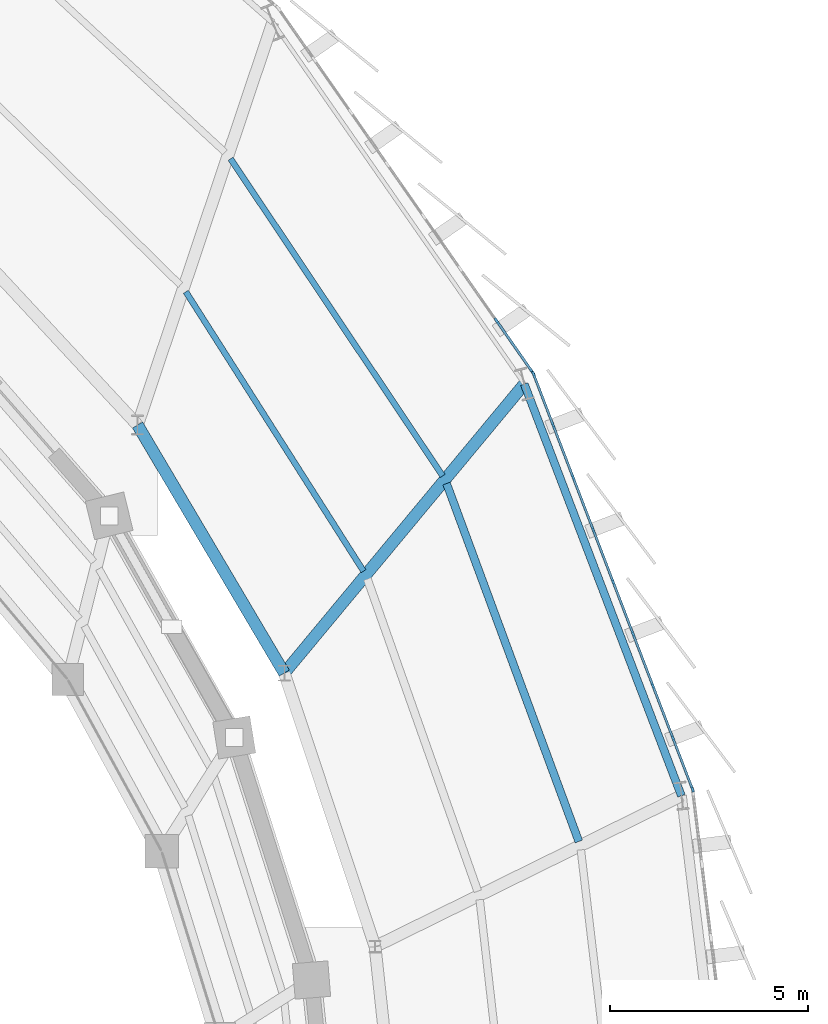
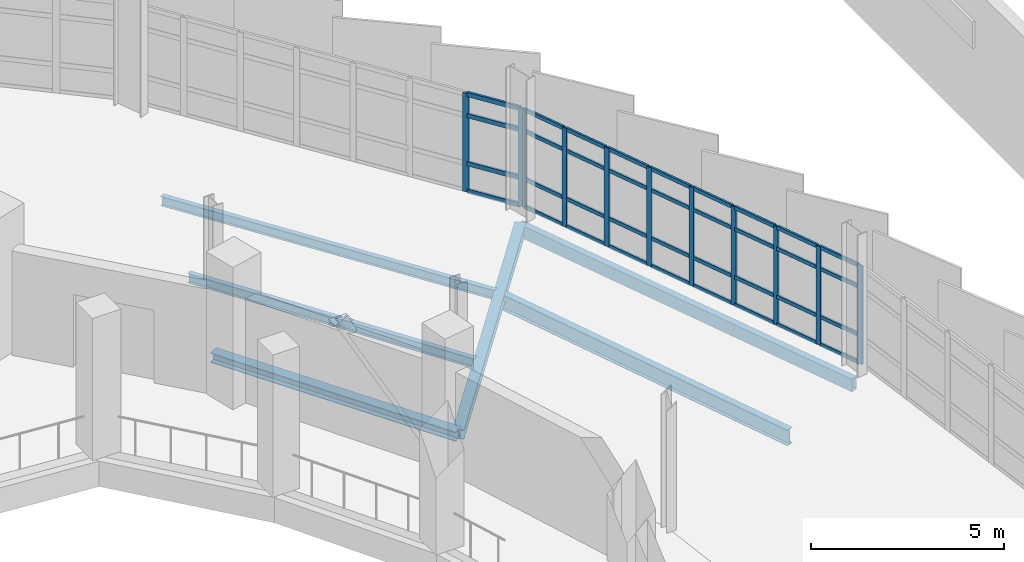
# One storey, part 73 of 125: 47 members, 6 beams, 2 elements without a shape of their own.
"""IFC4 building model written with IfcOpenShell, lengths in metres."""

from ifc_helpers import new_model, si_unit, direction, frame, origin, origin_2d, place, context, subcontext, project, spatial, rectangle, hollow_rectangle, i_section, extrude, material, layer, layer_set, material_profile, profile_set, type_object, element, aggregate, save


model = new_model("IFC4")

# Units and contexts
model_context = context("Model", 3, precision=1e-05, world=origin(), true_north=direction((0.0, 1.0)))
body_context = subcontext(model_context, "Body", "Model", "MODEL_VIEW")
ifc_project = project(units=[si_unit("LENGTHUNIT", "METRE"), si_unit("AREAUNIT", "SQUARE_METRE"), si_unit("VOLUMEUNIT", "CUBIC_METRE"), si_unit("PLANEANGLEUNIT", "RADIAN"), si_unit("MASSUNIT", "GRAM", prefix="KILO")], contexts=[model_context])

# Site, building, storey
site_placement = place(None, origin())
site = spatial("IfcSite", under=ifc_project, at=site_placement, CompositionType="ELEMENT")
building_placement = place(site_placement, origin())
building = spatial("IfcBuilding", under=site, at=building_placement, Name="Sohan Crest Arena", CompositionType="ELEMENT")
storey_placement = place(building_placement, frame((0.0, 0.0, 9.0)))
storey = spatial("IfcBuildingStorey", under=building, at=storey_placement, Name="L02", CompositionType="ELEMENT", Elevation=9.0)

# Curtain wall, members
ifc_material_1 = material(Name="Thermally broken anodised aluminium", Category="aluminium")
ifc_layer_1 = layer(ifc_material_1, 0.179931640625, Name="Thermally broken anodised aluminium")
ifc_layer_set_1 = layer_set([ifc_layer_1], Name="Thermally broken anodised aluminium")
curtain_wall_type_1 = type_object("IfcCurtainWallType", Name="ARC-CW01", PredefinedType="NOTDEFINED", material=ifc_layer_set_1)
curtain_wall_1_placement = place(storey_placement, origin())
curtain_wall_1 = element("IfcCurtainWall", 1, at=curtain_wall_1_placement, inside=storey, type_object=curtain_wall_type_1, Name="Unitised curtain wall CW-070", PredefinedType="NOTDEFINED")
ifc_material_profile_1 = material_profile(ifc_material_1, rectangle(XDim=0.06005859375, YDim=0.159912109375, at=origin_2d()), Name="ALU-MULL 60x160")
ifc_profile_set_1 = profile_set([ifc_material_profile_1], Name="Thermally broken anodised aluminium")
member_type_1 = type_object("IfcMemberType", Name="ARC-CW-ML01", PredefinedType="MULLION", material=ifc_profile_set_1)
member_1_placement = place(storey_placement, frame((187.00439453125, 89.239990234375, 0.0), z_axis=(0.0, 0.0, 1.0), x_axis=(-0.933887574191, -0.357566775262, 0.0)))
member_1 = element("IfcMember", 2, at=member_1_placement, type_object=member_type_1, Name="CW-070 mullion 1", PredefinedType="MULLION", context=body_context, shape_type="SweptSolid", body=[
    extrude(rectangle(XDim=0.06005859375, YDim=0.159912109375, at=origin_2d()), origin(), (0.0, 0.0, 1.0), 3.1201171875),
])
member_2_placement = place(storey_placement, frame((186.510009765625, 90.530517578125, 0.0), z_axis=(0.0, 0.0, 1.0), x_axis=(-0.933887574191, -0.357566775262, 0.0)))
member_2 = element("IfcMember", 3, at=member_2_placement, type_object=member_type_1, Name="CW-070 mullion 2", PredefinedType="MULLION", context=body_context, shape_type="SweptSolid", body=[
    extrude(rectangle(XDim=0.06005859375, YDim=0.159912109375, at=origin_2d()), origin(), (0.0, 0.0, 1.0), 3.1201171875),
])
member_3_placement = place(storey_placement, frame((186.00537109375, 91.849365234375, 0.0), z_axis=(0.0, 0.0, 1.0), x_axis=(-0.933887574191, -0.357566775262, 0.0)))
member_3 = element("IfcMember", 4, at=member_3_placement, type_object=member_type_1, Name="CW-070 mullion 3", PredefinedType="MULLION", context=body_context, shape_type="SweptSolid", body=[
    extrude(rectangle(XDim=0.06005859375, YDim=0.159912109375, at=origin_2d()), origin(), (0.0, 0.0, 1.0), 3.1201171875),
])
member_4_placement = place(storey_placement, frame((185.50048828125, 93.16796875, 0.0), z_axis=(0.0, 0.0, 1.0), x_axis=(-0.933887574191, -0.357566775262, 0.0)))
member_4 = element("IfcMember", 5, at=member_4_placement, type_object=member_type_1, Name="CW-070 mullion 4", PredefinedType="MULLION", context=body_context, shape_type="SweptSolid", body=[
    extrude(rectangle(XDim=0.06005859375, YDim=0.159912109375, at=origin_2d()), origin(), (0.0, 0.0, 1.0), 3.1201171875),
])
member_5_placement = place(storey_placement, frame((184.99560546875, 94.486572265625, 0.0), z_axis=(0.0, 0.0, 1.0), x_axis=(-0.933887574191, -0.357566775262, 0.0)))
member_5 = element("IfcMember", 6, at=member_5_placement, type_object=member_type_1, Name="CW-070 mullion 5", PredefinedType="MULLION", context=body_context, shape_type="SweptSolid", body=[
    extrude(rectangle(XDim=0.06005859375, YDim=0.159912109375, at=origin_2d()), origin(), (0.0, 0.0, 1.0), 3.1201171875),
])
member_6_placement = place(storey_placement, frame((184.49072265625, 95.80517578125, 0.0), z_axis=(0.0, 0.0, 1.0), x_axis=(-0.933887574191, -0.357566775262, 0.0)))
member_6 = element("IfcMember", 7, at=member_6_placement, type_object=member_type_1, Name="CW-070 mullion 6", PredefinedType="MULLION", context=body_context, shape_type="SweptSolid", body=[
    extrude(rectangle(XDim=0.06005859375, YDim=0.159912109375, at=origin_2d()), origin(), (0.0, 0.0, 1.0), 3.1201171875),
])
member_7_placement = place(storey_placement, frame((183.98583984375, 97.123779296875, 0.0), z_axis=(0.0, 0.0, 1.0), x_axis=(-0.933887574191, -0.357566775262, 0.0)))
member_7 = element("IfcMember", 8, at=member_7_placement, type_object=member_type_1, Name="CW-070 mullion 7", PredefinedType="MULLION", context=body_context, shape_type="SweptSolid", body=[
    extrude(rectangle(XDim=0.06005859375, YDim=0.159912109375, at=origin_2d()), origin(), (0.0, 0.0, 1.0), 3.1201171875),
])
member_8_placement = place(storey_placement, frame((183.48095703125, 98.4423828125, 0.0), z_axis=(0.0, 0.0, 1.0), x_axis=(-0.933887574191, -0.357566775262, 0.0)))
member_8 = element("IfcMember", 9, at=member_8_placement, type_object=member_type_1, Name="CW-070 mullion 8", PredefinedType="MULLION", context=body_context, shape_type="SweptSolid", body=[
    extrude(rectangle(XDim=0.06005859375, YDim=0.159912109375, at=origin_2d()), origin(), (0.0, 0.0, 1.0), 3.1201171875),
])
member_9_placement = place(storey_placement, frame((182.98681640625, 99.73291015625, 0.0), z_axis=(0.0, 0.0, 1.0), x_axis=(-0.933887574191, -0.357566775262, 0.0)))
member_9 = element("IfcMember", 10, at=member_9_placement, type_object=member_type_1, Name="CW-070 mullion 9", PredefinedType="MULLION", context=body_context, shape_type="SweptSolid", body=[
    extrude(rectangle(XDim=0.06005859375, YDim=0.159912109375, at=origin_2d()), origin(), (0.0, 0.0, 1.0), 3.1201171875),
])

ifc_layer_2 = layer(ifc_material_1, 0.199951171875, Name="Thermally broken anodised aluminium")
ifc_layer_set_2 = layer_set([ifc_layer_2], Name="Thermally broken anodised aluminium")
curtain_wall_type_2 = type_object("IfcCurtainWallType", Name="ARC-CW02", PredefinedType="NOTDEFINED", material=ifc_layer_set_2)
curtain_wall_2_placement = place(storey_placement, origin())
curtain_wall_2 = element("IfcCurtainWall", 11, at=curtain_wall_2_placement, inside=storey, type_object=curtain_wall_type_2, Name="Unitised curtain wall CW-071", PredefinedType="NOTDEFINED")
ifc_material_profile_2 = material_profile(ifc_material_1, rectangle(XDim=0.06494140625, YDim=0.179931640625, at=origin_2d()), Name="ALU-MULL 65x180")
ifc_profile_set_2 = profile_set([ifc_material_profile_2], Name="Thermally broken anodised aluminium")
member_type_2 = type_object("IfcMemberType", Name="ARC-CW-ML02", PredefinedType="MULLION", material=ifc_profile_set_2)
member_10_placement = place(storey_placement, frame((182.957275390625, 99.78759765625, 0.0), z_axis=(0.0, 0.0, 1.0), x_axis=(-0.819954947639, -0.572428059971, 0.0)))
member_10 = element("IfcMember", 12, at=member_10_placement, type_object=member_type_2, Name="CW-071 mullion 1", PredefinedType="MULLION", context=body_context, shape_type="SweptSolid", body=[
    extrude(rectangle(XDim=0.06494140625, YDim=0.179931640625, at=origin_2d()), origin(), (0.0, 0.0, 1.0), 3.1201171875),
])
member_11_placement = place(storey_placement, frame((182.05224609375, 101.084228515625, 0.0), z_axis=(0.0, 0.0, 1.0), x_axis=(-0.819954947639, -0.572428059971, 0.0)))
member_11 = element("IfcMember", 13, at=member_11_placement, type_object=member_type_2, Name="CW-071 mullion 2", PredefinedType="MULLION", context=body_context, shape_type="SweptSolid", body=[
    extrude(rectangle(XDim=0.06494140625, YDim=0.179931640625, at=origin_2d()), origin(), (0.0, 0.0, 1.0), 3.1201171875),
])

# Member
ifc_material_profile_3 = material_profile(ifc_material_1, rectangle(XDim=0.06005859375, YDim=0.1201171875, at=origin_2d()), Name="ALU-TRAN 60x120")
ifc_profile_set_3 = profile_set([ifc_material_profile_3], Name="Thermally broken anodised aluminium")
member_type_3 = type_object("IfcMemberType", Name="ARC-CW-TR01", PredefinedType="USERDEFINED", material=ifc_profile_set_3)
member_12_placement = place(storey_placement, frame((186.99365234375, 89.26806640625, 0.030029296875), z_axis=(-0.357691809809, 0.93383969138, 0.0), x_axis=(-0.93383969138, -0.357691809809, 0.0)))
member_12 = element("IfcMember", 14, at=member_12_placement, type_object=member_type_3, Name="CW-070 transom 1.1", ObjectType="TRANSOM", PredefinedType="USERDEFINED", context=body_context, shape_type="SweptSolid", body=[
    extrude(rectangle(XDim=0.06005859375, YDim=0.1201171875, at=origin_2d()), origin(), (0.0, 0.0, 1.0), 1.322021484375),
])

member_13_placement = place(storey_placement, frame((186.99365234375, 89.26806640625, 0.89990234375), z_axis=(-0.357691809809, 0.93383969138, 0.0), x_axis=(-0.93383969138, -0.357691809809, 0.0)))
member_13 = element("IfcMember", 15, at=member_13_placement, type_object=member_type_3, Name="CW-070 transom 1.2", ObjectType="TRANSOM", PredefinedType="USERDEFINED", context=body_context, shape_type="SweptSolid", body=[
    extrude(rectangle(XDim=0.06005859375, YDim=0.1201171875, at=origin_2d()), origin(), (0.0, 0.0, 1.0), 1.322021484375),
])

member_14_placement = place(storey_placement, frame((186.99365234375, 89.26806640625, 2.419921875), z_axis=(-0.357691809809, 0.93383969138, 0.0), x_axis=(-0.93383969138, -0.357691809809, 0.0)))
member_14 = element("IfcMember", 16, at=member_14_placement, type_object=member_type_3, Name="CW-070 transom 1.3", ObjectType="TRANSOM", PredefinedType="USERDEFINED", context=body_context, shape_type="SweptSolid", body=[
    extrude(rectangle(XDim=0.06005859375, YDim=0.1201171875, at=origin_2d()), origin(), (0.0, 0.0, 1.0), 1.322021484375),
])

member_15_placement = place(storey_placement, frame((186.99365234375, 89.26806640625, 3.090087890625), z_axis=(-0.357691809809, 0.93383969138, 0.0), x_axis=(-0.93383969138, -0.357691809809, 0.0)))
member_15 = element("IfcMember", 17, at=member_15_placement, type_object=member_type_3, Name="CW-070 transom 1.4", ObjectType="TRANSOM", PredefinedType="USERDEFINED", context=body_context, shape_type="SweptSolid", body=[
    extrude(rectangle(XDim=0.06005859375, YDim=0.1201171875, at=origin_2d()), origin(), (0.0, 0.0, 1.0), 1.322021484375),
])

member_16_placement = place(storey_placement, frame((186.49951171875, 90.55859375, 0.030029296875), z_axis=(-0.357684119132, 0.933842637129, 0.0), x_axis=(-0.933842637129, -0.357684119132, 0.0)))
member_16 = element("IfcMember", 18, at=member_16_placement, type_object=member_type_3, Name="CW-070 transom 2.1", ObjectType="TRANSOM", PredefinedType="USERDEFINED", context=body_context, shape_type="SweptSolid", body=[
    extrude(rectangle(XDim=0.06005859375, YDim=0.1201171875, at=origin_2d()), origin(), (0.0, 0.0, 1.0), 1.35205078125),
])

member_17_placement = place(storey_placement, frame((186.49951171875, 90.55859375, 0.89990234375), z_axis=(-0.357684119132, 0.933842637129, 0.0), x_axis=(-0.933842637129, -0.357684119132, 0.0)))
member_17 = element("IfcMember", 19, at=member_17_placement, type_object=member_type_3, Name="CW-070 transom 2.2", ObjectType="TRANSOM", PredefinedType="USERDEFINED", context=body_context, shape_type="SweptSolid", body=[
    extrude(rectangle(XDim=0.06005859375, YDim=0.1201171875, at=origin_2d()), origin(), (0.0, 0.0, 1.0), 1.35205078125),
])

member_18_placement = place(storey_placement, frame((186.49951171875, 90.55859375, 2.419921875), z_axis=(-0.357684119132, 0.933842637129, 0.0), x_axis=(-0.933842637129, -0.357684119132, 0.0)))
member_18 = element("IfcMember", 20, at=member_18_placement, type_object=member_type_3, Name="CW-070 transom 2.3", ObjectType="TRANSOM", PredefinedType="USERDEFINED", context=body_context, shape_type="SweptSolid", body=[
    extrude(rectangle(XDim=0.06005859375, YDim=0.1201171875, at=origin_2d()), origin(), (0.0, 0.0, 1.0), 1.35205078125),
])

member_19_placement = place(storey_placement, frame((186.49951171875, 90.55859375, 3.090087890625), z_axis=(-0.357684119132, 0.933842637129, 0.0), x_axis=(-0.933842637129, -0.357684119132, 0.0)))
member_19 = element("IfcMember", 21, at=member_19_placement, type_object=member_type_3, Name="CW-070 transom 2.4", ObjectType="TRANSOM", PredefinedType="USERDEFINED", context=body_context, shape_type="SweptSolid", body=[
    extrude(rectangle(XDim=0.06005859375, YDim=0.1201171875, at=origin_2d()), origin(), (0.0, 0.0, 1.0), 1.35205078125),
])

member_20_placement = place(storey_placement, frame((185.99462890625, 91.877197265625, 0.030029296875), z_axis=(-0.357684119132, 0.933842637129, 0.0), x_axis=(-0.933842637129, -0.357684119132, 0.0)))
member_20 = element("IfcMember", 22, at=member_20_placement, type_object=member_type_3, Name="CW-070 transom 3.1", ObjectType="TRANSOM", PredefinedType="USERDEFINED", context=body_context, shape_type="SweptSolid", body=[
    extrude(rectangle(XDim=0.06005859375, YDim=0.1201171875, at=origin_2d()), origin(), (0.0, 0.0, 1.0), 1.35205078125),
])

member_21_placement = place(storey_placement, frame((185.99462890625, 91.877197265625, 0.89990234375), z_axis=(-0.357684119132, 0.933842637129, 0.0), x_axis=(-0.933842637129, -0.357684119132, 0.0)))
member_21 = element("IfcMember", 23, at=member_21_placement, type_object=member_type_3, Name="CW-070 transom 3.2", ObjectType="TRANSOM", PredefinedType="USERDEFINED", context=body_context, shape_type="SweptSolid", body=[
    extrude(rectangle(XDim=0.06005859375, YDim=0.1201171875, at=origin_2d()), origin(), (0.0, 0.0, 1.0), 1.35205078125),
])

member_22_placement = place(storey_placement, frame((185.99462890625, 91.877197265625, 2.419921875), z_axis=(-0.357684119132, 0.933842637129, 0.0), x_axis=(-0.933842637129, -0.357684119132, 0.0)))
member_22 = element("IfcMember", 24, at=member_22_placement, type_object=member_type_3, Name="CW-070 transom 3.3", ObjectType="TRANSOM", PredefinedType="USERDEFINED", context=body_context, shape_type="SweptSolid", body=[
    extrude(rectangle(XDim=0.06005859375, YDim=0.1201171875, at=origin_2d()), origin(), (0.0, 0.0, 1.0), 1.35205078125),
])

member_23_placement = place(storey_placement, frame((185.99462890625, 91.877197265625, 3.090087890625), z_axis=(-0.357684119132, 0.933842637129, 0.0), x_axis=(-0.933842637129, -0.357684119132, 0.0)))
member_23 = element("IfcMember", 25, at=member_23_placement, type_object=member_type_3, Name="CW-070 transom 3.4", ObjectType="TRANSOM", PredefinedType="USERDEFINED", context=body_context, shape_type="SweptSolid", body=[
    extrude(rectangle(XDim=0.06005859375, YDim=0.1201171875, at=origin_2d()), origin(), (0.0, 0.0, 1.0), 1.35205078125),
])

member_24_placement = place(storey_placement, frame((185.48974609375, 93.19580078125, 0.030029296875), z_axis=(-0.357526646659, 0.933902937638, 0.0), x_axis=(-0.933902937638, -0.357526646659, 0.0)))
member_24 = element("IfcMember", 26, at=member_24_placement, type_object=member_type_3, Name="CW-070 transom 4.1", ObjectType="TRANSOM", PredefinedType="USERDEFINED", context=body_context, shape_type="SweptSolid", body=[
    extrude(rectangle(XDim=0.06005859375, YDim=0.1201171875, at=origin_2d()), origin(), (0.0, 0.0, 1.0), 1.35205078125),
])

member_25_placement = place(storey_placement, frame((185.48974609375, 93.19580078125, 0.89990234375), z_axis=(-0.357526646659, 0.933902937638, 0.0), x_axis=(-0.933902937638, -0.357526646659, 0.0)))
member_25 = element("IfcMember", 27, at=member_25_placement, type_object=member_type_3, Name="CW-070 transom 4.2", ObjectType="TRANSOM", PredefinedType="USERDEFINED", context=body_context, shape_type="SweptSolid", body=[
    extrude(rectangle(XDim=0.06005859375, YDim=0.1201171875, at=origin_2d()), origin(), (0.0, 0.0, 1.0), 1.35205078125),
])

member_26_placement = place(storey_placement, frame((185.48974609375, 93.19580078125, 2.419921875), z_axis=(-0.357526646659, 0.933902937638, 0.0), x_axis=(-0.933902937638, -0.357526646659, 0.0)))
member_26 = element("IfcMember", 28, at=member_26_placement, type_object=member_type_3, Name="CW-070 transom 4.3", ObjectType="TRANSOM", PredefinedType="USERDEFINED", context=body_context, shape_type="SweptSolid", body=[
    extrude(rectangle(XDim=0.06005859375, YDim=0.1201171875, at=origin_2d()), origin(), (0.0, 0.0, 1.0), 1.35205078125),
])

member_27_placement = place(storey_placement, frame((185.48974609375, 93.19580078125, 3.090087890625), z_axis=(-0.357526646659, 0.933902937638, 0.0), x_axis=(-0.933902937638, -0.357526646659, 0.0)))
member_27 = element("IfcMember", 29, at=member_27_placement, type_object=member_type_3, Name="CW-070 transom 4.4", ObjectType="TRANSOM", PredefinedType="USERDEFINED", context=body_context, shape_type="SweptSolid", body=[
    extrude(rectangle(XDim=0.06005859375, YDim=0.1201171875, at=origin_2d()), origin(), (0.0, 0.0, 1.0), 1.35205078125),
])

member_28_placement = place(storey_placement, frame((184.98486328125, 94.514404296875, 0.030029296875), z_axis=(-0.357526646659, 0.933902937638, 0.0), x_axis=(-0.933902937638, -0.357526646659, 0.0)))
member_28 = element("IfcMember", 30, at=member_28_placement, type_object=member_type_3, Name="CW-070 transom 5.1", ObjectType="TRANSOM", PredefinedType="USERDEFINED", context=body_context, shape_type="SweptSolid", body=[
    extrude(rectangle(XDim=0.06005859375, YDim=0.1201171875, at=origin_2d()), origin(), (0.0, 0.0, 1.0), 1.35205078125),
])

member_29_placement = place(storey_placement, frame((184.98486328125, 94.514404296875, 0.89990234375), z_axis=(-0.357526646659, 0.933902937638, 0.0), x_axis=(-0.933902937638, -0.357526646659, 0.0)))
member_29 = element("IfcMember", 31, at=member_29_placement, type_object=member_type_3, Name="CW-070 transom 5.2", ObjectType="TRANSOM", PredefinedType="USERDEFINED", context=body_context, shape_type="SweptSolid", body=[
    extrude(rectangle(XDim=0.06005859375, YDim=0.1201171875, at=origin_2d()), origin(), (0.0, 0.0, 1.0), 1.35205078125),
])

member_30_placement = place(storey_placement, frame((184.98486328125, 94.514404296875, 2.419921875), z_axis=(-0.357526646659, 0.933902937638, 0.0), x_axis=(-0.933902937638, -0.357526646659, 0.0)))
member_30 = element("IfcMember", 32, at=member_30_placement, type_object=member_type_3, Name="CW-070 transom 5.3", ObjectType="TRANSOM", PredefinedType="USERDEFINED", context=body_context, shape_type="SweptSolid", body=[
    extrude(rectangle(XDim=0.06005859375, YDim=0.1201171875, at=origin_2d()), origin(), (0.0, 0.0, 1.0), 1.35205078125),
])

member_31_placement = place(storey_placement, frame((184.98486328125, 94.514404296875, 3.090087890625), z_axis=(-0.357526646659, 0.933902937638, 0.0), x_axis=(-0.933902937638, -0.357526646659, 0.0)))
member_31 = element("IfcMember", 33, at=member_31_placement, type_object=member_type_3, Name="CW-070 transom 5.4", ObjectType="TRANSOM", PredefinedType="USERDEFINED", context=body_context, shape_type="SweptSolid", body=[
    extrude(rectangle(XDim=0.06005859375, YDim=0.1201171875, at=origin_2d()), origin(), (0.0, 0.0, 1.0), 1.35205078125),
])

member_32_placement = place(storey_placement, frame((184.47998046875, 95.833251953125, 0.030029296875), z_axis=(-0.357586947207, 0.933879850509, 0.0), x_axis=(-0.933879850509, -0.357586947207, 0.0)))
member_32 = element("IfcMember", 34, at=member_32_placement, type_object=member_type_3, Name="CW-070 transom 6.1", ObjectType="TRANSOM", PredefinedType="USERDEFINED", context=body_context, shape_type="SweptSolid", body=[
    extrude(rectangle(XDim=0.06005859375, YDim=0.1201171875, at=origin_2d()), origin(), (0.0, 0.0, 1.0), 1.351806640625),
])

member_33_placement = place(storey_placement, frame((184.47998046875, 95.833251953125, 0.89990234375), z_axis=(-0.357586947207, 0.933879850509, 0.0), x_axis=(-0.933879850509, -0.357586947207, 0.0)))
member_33 = element("IfcMember", 35, at=member_33_placement, type_object=member_type_3, Name="CW-070 transom 6.2", ObjectType="TRANSOM", PredefinedType="USERDEFINED", context=body_context, shape_type="SweptSolid", body=[
    extrude(rectangle(XDim=0.06005859375, YDim=0.1201171875, at=origin_2d()), origin(), (0.0, 0.0, 1.0), 1.351806640625),
])

member_34_placement = place(storey_placement, frame((184.47998046875, 95.833251953125, 2.419921875), z_axis=(-0.357586947207, 0.933879850509, 0.0), x_axis=(-0.933879850509, -0.357586947207, 0.0)))
member_34 = element("IfcMember", 36, at=member_34_placement, type_object=member_type_3, Name="CW-070 transom 6.3", ObjectType="TRANSOM", PredefinedType="USERDEFINED", context=body_context, shape_type="SweptSolid", body=[
    extrude(rectangle(XDim=0.06005859375, YDim=0.1201171875, at=origin_2d()), origin(), (0.0, 0.0, 1.0), 1.351806640625),
])

member_35_placement = place(storey_placement, frame((184.47998046875, 95.833251953125, 3.090087890625), z_axis=(-0.357586947207, 0.933879850509, 0.0), x_axis=(-0.933879850509, -0.357586947207, 0.0)))
member_35 = element("IfcMember", 37, at=member_35_placement, type_object=member_type_3, Name="CW-070 transom 6.4", ObjectType="TRANSOM", PredefinedType="USERDEFINED", context=body_context, shape_type="SweptSolid", body=[
    extrude(rectangle(XDim=0.06005859375, YDim=0.1201171875, at=origin_2d()), origin(), (0.0, 0.0, 1.0), 1.351806640625),
])

member_36_placement = place(storey_placement, frame((183.97509765625, 97.15185546875, 0.030029296875), z_axis=(-0.357586947207, 0.933879850509, 0.0), x_axis=(-0.933879850509, -0.357586947207, 0.0)))
member_36 = element("IfcMember", 38, at=member_36_placement, type_object=member_type_3, Name="CW-070 transom 7.1", ObjectType="TRANSOM", PredefinedType="USERDEFINED", context=body_context, shape_type="SweptSolid", body=[
    extrude(rectangle(XDim=0.06005859375, YDim=0.1201171875, at=origin_2d()), origin(), (0.0, 0.0, 1.0), 1.351806640625),
])

member_37_placement = place(storey_placement, frame((183.97509765625, 97.15185546875, 0.89990234375), z_axis=(-0.357586947207, 0.933879850509, 0.0), x_axis=(-0.933879850509, -0.357586947207, 0.0)))
member_37 = element("IfcMember", 39, at=member_37_placement, type_object=member_type_3, Name="CW-070 transom 7.2", ObjectType="TRANSOM", PredefinedType="USERDEFINED", context=body_context, shape_type="SweptSolid", body=[
    extrude(rectangle(XDim=0.06005859375, YDim=0.1201171875, at=origin_2d()), origin(), (0.0, 0.0, 1.0), 1.351806640625),
])

member_38_placement = place(storey_placement, frame((183.97509765625, 97.15185546875, 2.419921875), z_axis=(-0.357586947207, 0.933879850509, 0.0), x_axis=(-0.933879850509, -0.357586947207, 0.0)))
member_38 = element("IfcMember", 40, at=member_38_placement, type_object=member_type_3, Name="CW-070 transom 7.3", ObjectType="TRANSOM", PredefinedType="USERDEFINED", context=body_context, shape_type="SweptSolid", body=[
    extrude(rectangle(XDim=0.06005859375, YDim=0.1201171875, at=origin_2d()), origin(), (0.0, 0.0, 1.0), 1.351806640625),
])

member_39_placement = place(storey_placement, frame((183.97509765625, 97.15185546875, 3.090087890625), z_axis=(-0.357586947207, 0.933879850509, 0.0), x_axis=(-0.933879850509, -0.357586947207, 0.0)))
member_39 = element("IfcMember", 41, at=member_39_placement, type_object=member_type_3, Name="CW-070 transom 7.4", ObjectType="TRANSOM", PredefinedType="USERDEFINED", context=body_context, shape_type="SweptSolid", body=[
    extrude(rectangle(XDim=0.06005859375, YDim=0.1201171875, at=origin_2d()), origin(), (0.0, 0.0, 1.0), 1.351806640625),
])

member_40_placement = place(storey_placement, frame((183.47021484375, 98.470458984375, 0.030029296875), z_axis=(-0.357530757462, 0.933901363886, 0.0), x_axis=(-0.933901363886, -0.357530757462, 0.0)))
member_40 = element("IfcMember", 42, at=member_40_placement, type_object=member_type_3, Name="CW-070 transom 8.1", ObjectType="TRANSOM", PredefinedType="USERDEFINED", context=body_context, shape_type="SweptSolid", body=[
    extrude(rectangle(XDim=0.06005859375, YDim=0.1201171875, at=origin_2d()), origin(), (0.0, 0.0, 1.0), 1.322021484375),
])

member_41_placement = place(storey_placement, frame((183.47021484375, 98.470458984375, 0.89990234375), z_axis=(-0.357530757462, 0.933901363886, 0.0), x_axis=(-0.933901363886, -0.357530757462, 0.0)))
member_41 = element("IfcMember", 43, at=member_41_placement, type_object=member_type_3, Name="CW-070 transom 8.2", ObjectType="TRANSOM", PredefinedType="USERDEFINED", context=body_context, shape_type="SweptSolid", body=[
    extrude(rectangle(XDim=0.06005859375, YDim=0.1201171875, at=origin_2d()), origin(), (0.0, 0.0, 1.0), 1.322021484375),
])

member_42_placement = place(storey_placement, frame((183.47021484375, 98.470458984375, 2.419921875), z_axis=(-0.357530757462, 0.933901363886, 0.0), x_axis=(-0.933901363886, -0.357530757462, 0.0)))
member_42 = element("IfcMember", 44, at=member_42_placement, type_object=member_type_3, Name="CW-070 transom 8.3", ObjectType="TRANSOM", PredefinedType="USERDEFINED", context=body_context, shape_type="SweptSolid", body=[
    extrude(rectangle(XDim=0.06005859375, YDim=0.1201171875, at=origin_2d()), origin(), (0.0, 0.0, 1.0), 1.322021484375),
])

member_43_placement = place(storey_placement, frame((183.47021484375, 98.470458984375, 3.090087890625), z_axis=(-0.357530757462, 0.933901363886, 0.0), x_axis=(-0.933901363886, -0.357530757462, 0.0)))
member_43 = element("IfcMember", 45, at=member_43_placement, type_object=member_type_3, Name="CW-070 transom 8.4", ObjectType="TRANSOM", PredefinedType="USERDEFINED", context=body_context, shape_type="SweptSolid", body=[
    extrude(rectangle(XDim=0.06005859375, YDim=0.1201171875, at=origin_2d()), origin(), (0.0, 0.0, 1.0), 1.322021484375),
])

aggregate(curtain_wall_1, [member_1, member_2, member_3, member_4, member_5, member_6, member_7, member_8, member_9, member_12, member_13, member_14, member_15, member_16, member_17, member_18, member_19, member_20, member_21, member_22, member_23, member_24, member_25, member_26, member_27, member_28, member_29, member_30, member_31, member_32, member_33, member_34, member_35, member_36, member_37, member_38, member_39, member_40, member_41, member_42, member_43])

ifc_material_profile_4 = material_profile(ifc_material_1, rectangle(XDim=0.06494140625, YDim=0.139892578125, at=origin_2d()), Name="ALU-TRAN 65x140")
ifc_profile_set_4 = profile_set([ifc_material_profile_4], Name="Thermally broken anodised aluminium")
member_type_4 = type_object("IfcMemberType", Name="ARC-CW-TR02", PredefinedType="USERDEFINED", material=ifc_profile_set_4)
member_44_placement = place(storey_placement, frame((182.938720703125, 99.814208984375, 0.032470703125), z_axis=(-0.572446037216, 0.819942397047, 0.0), x_axis=(-0.819942397047, -0.572446037216, 0.0)))
member_44 = element("IfcMember", 46, at=member_44_placement, type_object=member_type_4, Name="CW-071 transom 1.1", ObjectType="TRANSOM", PredefinedType="USERDEFINED", context=body_context, shape_type="SweptSolid", body=[
    extrude(rectangle(XDim=0.06494140625, YDim=0.139892578125, at=origin_2d()), origin(), (0.0, 0.0, 1.0), 1.51611328125),
])

member_45_placement = place(storey_placement, frame((182.938720703125, 99.814208984375, 0.89990234375), z_axis=(-0.572446037216, 0.819942397047, 0.0), x_axis=(-0.819942397047, -0.572446037216, 0.0)))
member_45 = element("IfcMember", 47, at=member_45_placement, type_object=member_type_4, Name="CW-071 transom 1.2", ObjectType="TRANSOM", PredefinedType="USERDEFINED", context=body_context, shape_type="SweptSolid", body=[
    extrude(rectangle(XDim=0.06494140625, YDim=0.139892578125, at=origin_2d()), origin(), (0.0, 0.0, 1.0), 1.51611328125),
])

member_46_placement = place(storey_placement, frame((182.938720703125, 99.814208984375, 2.419921875), z_axis=(-0.572446037216, 0.819942397047, 0.0), x_axis=(-0.819942397047, -0.572446037216, 0.0)))
member_46 = element("IfcMember", 48, at=member_46_placement, type_object=member_type_4, Name="CW-071 transom 1.3", ObjectType="TRANSOM", PredefinedType="USERDEFINED", context=body_context, shape_type="SweptSolid", body=[
    extrude(rectangle(XDim=0.06494140625, YDim=0.139892578125, at=origin_2d()), origin(), (0.0, 0.0, 1.0), 1.51611328125),
])

member_47_placement = place(storey_placement, frame((182.938720703125, 99.814208984375, 3.08740234375), z_axis=(-0.572446037216, 0.819942397047, 0.0), x_axis=(-0.819942397047, -0.572446037216, 0.0)))
member_47 = element("IfcMember", 49, at=member_47_placement, type_object=member_type_4, Name="CW-071 transom 1.4", ObjectType="TRANSOM", PredefinedType="USERDEFINED", context=body_context, shape_type="SweptSolid", body=[
    extrude(rectangle(XDim=0.06494140625, YDim=0.139892578125, at=origin_2d()), origin(), (0.0, 0.0, 1.0), 1.51611328125),
])

aggregate(curtain_wall_2, [member_10, member_11, member_44, member_45, member_46, member_47])

# Beams
ifc_material_2 = material(Name="Steel S355", Category="steel")
ifc_material_profile_5 = material_profile(ifc_material_2, i_section(OverallWidth=0.14990234375, OverallDepth=0.300048828125, WebThickness=0.007080078125, FlangeThickness=0.0107421875, at=origin_2d()), Name="IPE 300")
ifc_profile_set_5 = profile_set([ifc_material_profile_5], Name="Steel S355")
beam_type_1 = type_object("IfcBeamType", Name="STR-BM-B01", PredefinedType="JOIST", material=ifc_profile_set_5)
beam_1_placement = place(storey_placement, frame((178.679931640625, 94.7548828125, -0.39990234375), z_axis=(-0.536679400997, 0.843786241027, 0.0), x_axis=(-0.843786241027, -0.536679400997, 0.0)))
element("IfcBeam", 50, at=beam_1_placement, inside=storey, type_object=beam_type_1, Name="Structural beam J-L02-1359", PredefinedType="JOIST", context=body_context, shape_type="SweptSolid", body=[
    extrude(i_section(OverallWidth=0.14990234375, OverallDepth=0.300048828125, WebThickness=0.007080078125, FlangeThickness=0.0107421875, at=origin_2d()), origin(), (0.0, 0.0, 1.0), 8.37890625),
])
beam_2_placement = place(storey_placement, frame((180.68310546875, 97.166015625, -0.39990234375), z_axis=(-0.556006645923, 0.831177844802, 0.0), x_axis=(-0.831177844802, -0.556006645923, 0.0)))
element("IfcBeam", 51, at=beam_2_placement, inside=storey, type_object=beam_type_1, Name="Structural beam J-L02-1360", PredefinedType="JOIST", context=body_context, shape_type="SweptSolid", body=[
    extrude(i_section(OverallWidth=0.14990234375, OverallDepth=0.300048828125, WebThickness=0.007080078125, FlangeThickness=0.0107421875, at=origin_2d()), origin(), (0.0, 0.0, 1.0), 9.65478515625),
])
ifc_material_profile_6 = material_profile(ifc_material_2, i_section(OverallWidth=0.199951171875, OverallDepth=0.5, WebThickness=0.01025390625, FlangeThickness=0.01611328125, at=origin_2d()), Name="IPE 500")
ifc_profile_set_6 = profile_set([ifc_material_profile_6], Name="Steel S355")
beam_type_2 = type_object("IfcBeamType", Name="STR-BM-B05", PredefinedType="JOIST", material=ifc_profile_set_6)
beam_3_placement = place(storey_placement, frame((184.12890625, 87.9130859375, -0.5), z_axis=(-0.346567455642, 0.938025052272, 0.0), x_axis=(-0.938025052272, -0.346567455642, 0.0)))
element("IfcBeam", 52, at=beam_3_placement, inside=storey, type_object=beam_type_2, Name="Structural beam J-L02-1355", PredefinedType="JOIST", context=body_context, shape_type="SweptSolid", body=[
    extrude(i_section(OverallWidth=0.199951171875, OverallDepth=0.5, WebThickness=0.01025390625, FlangeThickness=0.01611328125, at=origin_2d()), origin(), (0.0, 0.0, 1.0), 9.657470703125),
])
ifc_material_profile_7 = material_profile(ifc_material_2, i_section(OverallWidth=0.300048828125, OverallDepth=0.300048828125, WebThickness=0.010986328125, FlangeThickness=0.01904296875, at=origin_2d()), Name="HEB 300")
ifc_profile_set_7 = profile_set([ifc_material_profile_7], Name="Steel S355")
beam_type_3 = type_object("IfcBeamType", Name="STR-BM-B12", PredefinedType="BEAM", material=ifc_profile_set_7)
beam_4_placement = place(storey_placement, frame((176.674072265625, 92.175048828125, -0.39990234375), z_axis=(0.638940924568, 0.7692558059, 0.0), x_axis=(-0.7692558059, 0.638940924568, 0.0)))
element("IfcBeam", 53, at=beam_4_placement, inside=storey, type_object=beam_type_3, Name="Structural beam G-L02-1356", PredefinedType="BEAM", context=body_context, shape_type="SweptSolid", body=[
    extrude(i_section(OverallWidth=0.300048828125, OverallDepth=0.300048828125, WebThickness=0.010986328125, FlangeThickness=0.01904296875, at=origin_2d()), origin(), (0.0, 0.0, 1.0), 9.5078125),
])
beam_5_placement = place(storey_placement, frame((176.674072265625, 92.175048828125, -0.39990234375), z_axis=(-0.509085626747, 0.860715879161, 0.0), x_axis=(-0.860715879161, -0.509085626747, 0.0)))
element("IfcBeam", 54, at=beam_5_placement, inside=storey, type_object=beam_type_3, Name="Structural beam G-L02-1357", PredefinedType="BEAM", context=body_context, shape_type="SweptSolid", body=[
    extrude(i_section(OverallWidth=0.300048828125, OverallDepth=0.300048828125, WebThickness=0.010986328125, FlangeThickness=0.01904296875, at=origin_2d()), origin(), (0.0, 0.0, 1.0), 7.293701171875),
])
ifc_material_profile_8 = material_profile(ifc_material_2, hollow_rectangle(XDim=0.199951171875, YDim=0.39990234375, WallThickness=0.012451171875, at=origin_2d()), Name="RHS 400x200x12.5")
ifc_profile_set_8 = profile_set([ifc_material_profile_8], Name="Steel S355")
beam_type_4 = type_object("IfcBeamType", Name="STR-BM-SP05", PredefinedType="SPANDREL", material=ifc_profile_set_8)
beam_6_placement = place(storey_placement, frame((186.72509765625, 89.070068359375, -0.449951171875), z_axis=(-0.356539672716, 0.934280183767, 0.0), x_axis=(-0.934280183767, -0.356539672716, 0.0)))
element("IfcBeam", 55, at=beam_6_placement, inside=storey, type_object=beam_type_4, Name="Structural beam SP-L02-1353", PredefinedType="SPANDREL", context=body_context, shape_type="SweptSolid", body=[
    extrude(hollow_rectangle(XDim=0.199951171875, YDim=0.39990234375, WallThickness=0.012451171875, at=origin_2d()), origin(), (0.0, 0.0, 1.0), 11.15185546875),
])

save(model, "model.ifc")
